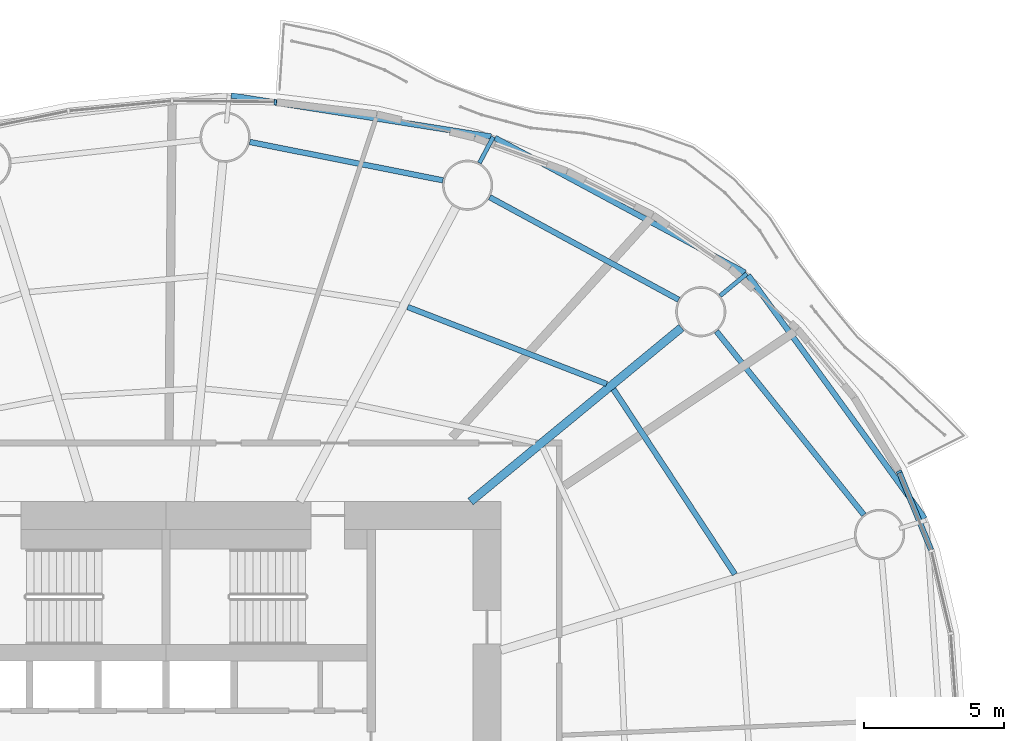
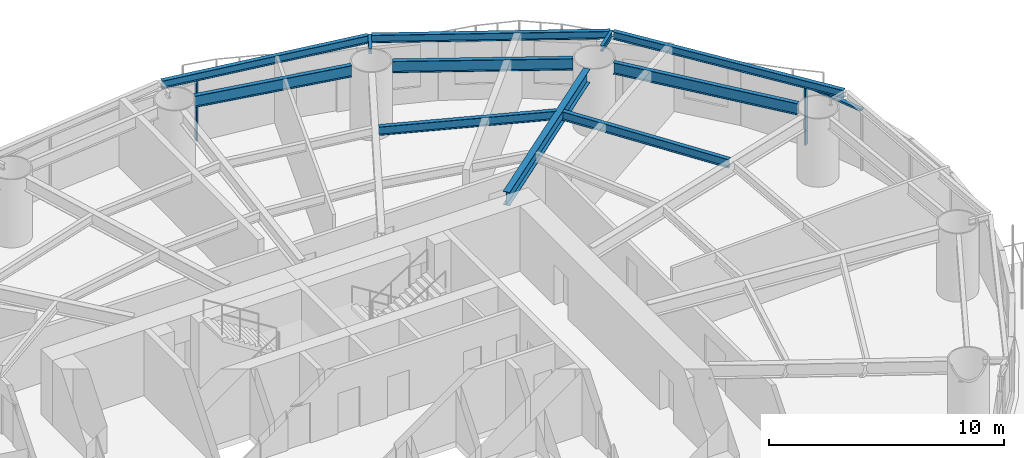
# One storey, part 6 of 16: 11 beams, 3 members, 2 elements without a shape of their own.
"""IFC4 building model written with IfcOpenShell, lengths in metres."""

from ifc_helpers import new_model, si_unit, direction, frame, origin, origin_2d, place, context, subcontext, project, spatial, rectangle, i_section, extrude, material, material_profile, profile_set, type_object, element, aggregate, save


model = new_model("IFC4")

# Units and contexts
model_context = context("Model", 3, precision=1e-05, world=origin(), true_north=direction((0.0, 1.0)))
body_context = subcontext(model_context, "Body", "Model", "MODEL_VIEW")
ifc_project = project(units=[si_unit("LENGTHUNIT", "METRE"), si_unit("AREAUNIT", "SQUARE_METRE"), si_unit("VOLUMEUNIT", "CUBIC_METRE"), si_unit("PLANEANGLEUNIT", "RADIAN"), si_unit("MASSUNIT", "GRAM", prefix="KILO")], contexts=[model_context])

# Site, building, storey
site_placement = place(None, origin())
site = spatial("IfcSite", under=ifc_project, at=site_placement, CompositionType="ELEMENT")
building_placement = place(site_placement, origin())
building = spatial("IfcBuilding", under=site, at=building_placement, Name="Vermilion Reach Broadcast Tower", CompositionType="ELEMENT")
storey_placement = place(building_placement, frame((0.0, 0.0, 69.300048828125)))
storey = spatial("IfcBuildingStorey", under=building, at=storey_placement, Name="L14", CompositionType="ELEMENT", Elevation=69.300048828125)

# Beams
ifc_material_1 = material(Name="Steel S355J2", Category="steel")
ifc_material_profile_1 = material_profile(ifc_material_1, i_section(OverallWidth=0.199951171875, OverallDepth=0.39990234375, WebThickness=0.008056640625, FlangeThickness=0.012939453125, at=origin_2d()), Name="S355J2 HN 400x200x8x13")
ifc_profile_set_1 = profile_set([ifc_material_profile_1], Name="Steel S355J2")
beam_type_1 = type_object("IfcBeamType", Name="EB1 HN 400x200x8x13", PredefinedType="BEAM", material=ifc_profile_set_1)
beam_1_placement = place(storey_placement, frame((21.193115234375, 8.3974609375, 3.349853515625), z_axis=(-0.587729390934, 0.809057577081, 0.0), x_axis=(-0.809057577081, -0.587729390934, 0.0)))
element("IfcBeam", 1, at=beam_1_placement, inside=storey, type_object=beam_type_1, Name="Edge beam EB1-01", PredefinedType="BEAM", context=body_context, shape_type="SweptSolid", body=[
    extrude(i_section(OverallWidth=0.199951171875, OverallDepth=0.39990234375, WebThickness=0.008056640625, FlangeThickness=0.012939453125, at=origin_2d()), origin(), (0.0, 0.0, 1.0), 10.76708984375),
])
beam_2_placement = place(storey_placement, frame((14.74951171875, 17.207763671875, 3.349853515625), z_axis=(-0.880271409358, 0.474470489985, 0.0), x_axis=(-0.474470489985, -0.880271409358, 0.0)))
element("IfcBeam", 2, at=beam_2_placement, inside=storey, type_object=beam_type_1, Name="Edge beam EB1-02", PredefinedType="BEAM", context=body_context, shape_type="SweptSolid", body=[
    extrude(i_section(OverallWidth=0.199951171875, OverallDepth=0.39990234375, WebThickness=0.008056640625, FlangeThickness=0.012939453125, at=origin_2d()), origin(), (0.0, 0.0, 1.0), 10.171630859375),
])
beam_3_placement = place(storey_placement, frame((5.6513671875, 22.081787109375, 3.349853515625), z_axis=(-0.987753304906, 0.15602374386, 0.0), x_axis=(-0.15602374386, -0.987753304906, 0.0)))
element("IfcBeam", 3, at=beam_3_placement, inside=storey, type_object=beam_type_1, Name="Edge beam EB1-03", PredefinedType="BEAM", context=body_context, shape_type="SweptSolid", body=[
    extrude(i_section(OverallWidth=0.199951171875, OverallDepth=0.39990234375, WebThickness=0.008056640625, FlangeThickness=0.012939453125, at=origin_2d()), origin(), (0.0, 0.0, 1.0), 9.427734375),
])
ifc_material_2 = material(Name="Steel S355J2", Category="steel")
ifc_material_profile_2 = material_profile(ifc_material_2, i_section(OverallWidth=0.300048828125, OverallDepth=0.699951171875, WebThickness=0.012939453125, FlangeThickness=0.02392578125, at=origin_2d()), Name="S355J2 HN 700x300x13x24")
ifc_profile_set_2 = profile_set([ifc_material_profile_2], Name="Steel S355J2")
beam_type_2 = type_object("IfcBeamType", Name="G1 HN 700x300x13x24", PredefinedType="BEAM", material=ifc_profile_set_2)
beam_4_placement = place(storey_placement, frame((4.9140625, 9.0, 3.199951171875), z_axis=(0.771514256373, 0.636212034005, 0.0), x_axis=(-0.636212034005, 0.771514256373, 0.0)))
element("IfcBeam", 4, at=beam_4_placement, inside=storey, type_object=beam_type_2, Name="Girder G1-02", PredefinedType="BEAM", context=body_context, shape_type="SweptSolid", body=[
    extrude(i_section(OverallWidth=0.300048828125, OverallDepth=0.699951171875, WebThickness=0.012939453125, FlangeThickness=0.02392578125, at=origin_2d()), origin(), (0.0, 0.0, 1.0), 9.796142578125),
])
ifc_material_3 = material(Name="Steel S355J2", Category="steel")
ifc_material_profile_3 = material_profile(ifc_material_3, i_section(OverallWidth=0.14990234375, OverallDepth=0.300048828125, WebThickness=0.006591796875, FlangeThickness=0.009033203125, at=origin_2d()), Name="S355J2 HN 300x150x6.5x9")
ifc_profile_set_3 = profile_set([ifc_material_profile_3], Name="Steel S355J2")
beam_type_3 = type_object("IfcBeamType", Name="GS1 HN 300x150x6.5x9", PredefinedType="BEAM", material=ifc_profile_set_3)
beam_5_placement = place(storey_placement, frame((13.860595703125, 16.377685546875, 3.39990234375), z_axis=(0.771539366313, 0.636181582749, 0.0), x_axis=(-0.636181582749, 0.771539366313, 0.0)))
element("IfcBeam", 5, at=beam_5_placement, inside=storey, type_object=beam_type_3, Name="Cantilever stub GS1-02", PredefinedType="BEAM", context=body_context, shape_type="SweptSolid", body=[
    extrude(i_section(OverallWidth=0.14990234375, OverallDepth=0.300048828125, WebThickness=0.006591796875, FlangeThickness=0.009033203125, at=origin_2d()), origin(), (0.0, 0.0, 1.0), 1.24462890625),
])
beam_6_placement = place(storey_placement, frame((5.232177734375, 21.1337890625, 3.39990234375), z_axis=(0.469463975059, 0.882951627283, 0.0), x_axis=(-0.882951627283, 0.469463975059, 0.0)))
element("IfcBeam", 6, at=beam_6_placement, inside=storey, type_object=beam_type_3, Name="Cantilever stub GS1-03", PredefinedType="BEAM", context=body_context, shape_type="SweptSolid", body=[
    extrude(i_section(OverallWidth=0.14990234375, OverallDepth=0.300048828125, WebThickness=0.006591796875, FlangeThickness=0.009033203125, at=origin_2d()), origin(), (0.0, 0.0, 1.0), 1.059814453125),
])
ifc_material_4 = material(Name="Steel S355J2", Category="steel")
ifc_material_profile_4 = material_profile(ifc_material_4, i_section(OverallWidth=0.199951171875, OverallDepth=0.60009765625, WebThickness=0.010986328125, FlangeThickness=0.01708984375, at=origin_2d()), Name="S355J2 HN 600x200x11x17")
ifc_profile_set_4 = profile_set([ifc_material_profile_4], Name="Steel S355J2")
beam_type_4 = type_object("IfcBeamType", Name="RB1 HN 600x200x11x17", PredefinedType="BEAM", material=ifc_profile_set_4)
beam_7_placement = place(storey_placement, frame((19.011962890625, 8.52587890625, 3.25), z_axis=(-0.626162157191, 0.779692858055, 0.0), x_axis=(-0.779692858055, -0.626162157191, 0.0)))
element("IfcBeam", 7, at=beam_7_placement, inside=storey, type_object=beam_type_4, Name="Ring beam RB1-01", PredefinedType="BEAM", context=body_context, shape_type="SweptSolid", body=[
    extrude(i_section(OverallWidth=0.199951171875, OverallDepth=0.60009765625, WebThickness=0.010986328125, FlangeThickness=0.01708984375, at=origin_2d()), origin(), (0.0, 0.0, 1.0), 8.435791015625),
])
beam_8_placement = place(storey_placement, frame((12.375244140625, 16.234130859375, 3.25), z_axis=(-0.878962319551, 0.476891225344, 0.0), x_axis=(-0.476891225344, -0.878962319551, 0.0)))
element("IfcBeam", 8, at=beam_8_placement, inside=storey, type_object=beam_type_4, Name="Ring beam RB1-02", PredefinedType="BEAM", context=body_context, shape_type="SweptSolid", body=[
    extrude(i_section(OverallWidth=0.199951171875, OverallDepth=0.60009765625, WebThickness=0.010986328125, FlangeThickness=0.01708984375, at=origin_2d()), origin(), (0.0, 0.0, 1.0), 7.707275390625),
])
beam_9_placement = place(storey_placement, frame((3.927001953125, 20.51416015625, 3.25), z_axis=(-0.980857717995, 0.194725799651, 0.0), x_axis=(-0.194725799651, -0.980857717995, 0.0)))
element("IfcBeam", 9, at=beam_9_placement, inside=storey, type_object=beam_type_4, Name="Ring beam RB1-03", PredefinedType="BEAM", context=body_context, shape_type="SweptSolid", body=[
    extrude(i_section(OverallWidth=0.199951171875, OverallDepth=0.60009765625, WebThickness=0.010986328125, FlangeThickness=0.01708984375, at=origin_2d()), origin(), (0.0, 0.0, 1.0), 7.05859375),
])
ifc_material_5 = material(Name="Steel S355J2", Category="steel")
ifc_material_profile_5 = material_profile(ifc_material_5, i_section(OverallWidth=0.199951171875, OverallDepth=0.449951171875, WebThickness=0.009033203125, FlangeThickness=0.013916015625, at=origin_2d()), Name="S355J2 HN 450x200x9x14")
ifc_profile_set_5 = profile_set([ifc_material_profile_5], Name="Steel S355J2")
beam_type_5 = type_object("IfcBeamType", Name="SB1 HN 450x200x9x14", PredefinedType="BEAM", material=ifc_profile_set_5)
beam_10_placement = place(storey_placement, frame((14.390625, 6.394775390625, 3.324951171875), z_axis=(-0.548800909102, 0.835953086105, 0.0), x_axis=(-0.835953086105, -0.548800909102, 0.0)))
element("IfcBeam", 10, at=beam_10_placement, inside=storey, type_object=beam_type_5, Name="Secondary beam SB1-01-2", PredefinedType="BEAM", context=body_context, shape_type="SweptSolid", body=[
    extrude(i_section(OverallWidth=0.199951171875, OverallDepth=0.449951171875, WebThickness=0.009033203125, FlangeThickness=0.013916015625, at=origin_2d()), origin(), (0.0, 0.0, 1.0), 7.935791015625),
])
beam_11_placement = place(storey_placement, frame((9.7919921875, 13.217041015625, 3.324951171875), z_axis=(-0.932680743753, 0.360702966765, 0.0), x_axis=(-0.360702966765, -0.932680743753, 0.0)))
element("IfcBeam", 11, at=beam_11_placement, inside=storey, type_object=beam_type_5, Name="Secondary beam SB1-02-2", PredefinedType="BEAM", context=body_context, shape_type="SweptSolid", body=[
    extrude(i_section(OverallWidth=0.199951171875, OverallDepth=0.449951171875, WebThickness=0.009033203125, FlangeThickness=0.013916015625, at=origin_2d()), origin(), (0.0, 0.0, 1.0), 7.646240234375),
])

# Curtain wall, member
ifc_material_6 = material(Name="Low-e laminated clear glass in aluminium frame", Category="aluminium")
curtain_wall_type = type_object("IfcCurtainWallType", Name="Slot curtain wall", PredefinedType="NOTDEFINED", material=ifc_material_6)
placement = place(storey_placement, origin())
curtain_wall_1 = element("IfcCurtainWall", 12, at=placement, inside=storey, type_object=curtain_wall_type, Name="Slot curtain wall L14 01", PredefinedType="NOTDEFINED")
ifc_material_7 = material(Name="Anodised aluminium", Category="aluminium")
ifc_material_profile_6 = material_profile(ifc_material_7, rectangle(XDim=0.199951171875, YDim=0.080078125, at=origin_2d()), Name="Slot mullion 80 x 200")
ifc_profile_set_6 = profile_set([ifc_material_profile_6], Name="Anodised aluminium")
member_type_1 = type_object("IfcMemberType", Name="Slot mullion 80 x 200", PredefinedType="MULLION", material=ifc_profile_set_6)
member_1_placement = place(storey_placement, frame((20.274169921875, 10.066162109375, 0.0), z_axis=(0.0, 0.0, 1.0), x_axis=(-0.893266050715, -0.449528378014, 0.0)))
member_1 = element("IfcMember", 13, at=member_1_placement, type_object=member_type_1, Name="Slot mullion L14 02", PredefinedType="MULLION", context=body_context, shape_type="SweptSolid", body=[
    extrude(rectangle(XDim=0.199951171875, YDim=0.080078125, at=origin_2d()), origin(), (0.0, 0.0, 1.0), 3.14990234375),
])

curtain_wall_2 = element("IfcCurtainWall", 14, at=placement, inside=storey, type_object=curtain_wall_type, Name="Slot curtain wall L14 10", PredefinedType="NOTDEFINED")
member_2_placement = place(storey_placement, frame((-2.0810546875, 23.319091796875, 0.0), z_axis=(0.0, 0.0, 1.0), x_axis=(-0.065594701355, -0.99784634847, 0.0)))
member_2 = element("IfcMember", 15, at=member_2_placement, type_object=member_type_1, Name="Slot mullion L14 10", PredefinedType="MULLION", context=body_context, shape_type="SweptSolid", body=[
    extrude(rectangle(XDim=0.199951171875, YDim=0.080078125, at=origin_2d()), origin(), (0.0, 0.0, 1.0), 3.14990234375),
])
aggregate(curtain_wall_2, [member_2])

# Member
ifc_material_8 = material(Name="Anodised aluminium", Category="aluminium")
ifc_material_profile_7 = material_profile(ifc_material_8, rectangle(XDim=0.199951171875, YDim=0.10009765625, at=origin_2d()), Name="Slot transom 200 x 100")
ifc_profile_set_7 = profile_set([ifc_material_profile_7], Name="Anodised aluminium")
member_type_2 = type_object("IfcMemberType", Name="Slot transom 200 x 100", PredefinedType="USERDEFINED", material=ifc_profile_set_7)
member_3_placement = place(storey_placement, frame((21.4208984375, 7.2685546875, 3.099853515625), z_axis=(-0.379263614677, 0.925288663381, 0.0), x_axis=(-0.925288663381, -0.379263614677, 0.0)))
member_3 = element("IfcMember", 16, at=member_3_placement, type_object=member_type_2, Name="Slot transom L14 01.1", ObjectType="TRANSOM", PredefinedType="USERDEFINED", context=body_context, shape_type="SweptSolid", body=[
    extrude(rectangle(XDim=0.199951171875, YDim=0.10009765625, at=origin_2d()), origin(), (0.0, 0.0, 1.0), 2.983642578125),
])

aggregate(curtain_wall_1, [member_1, member_3])

save(model, "model.ifc")
